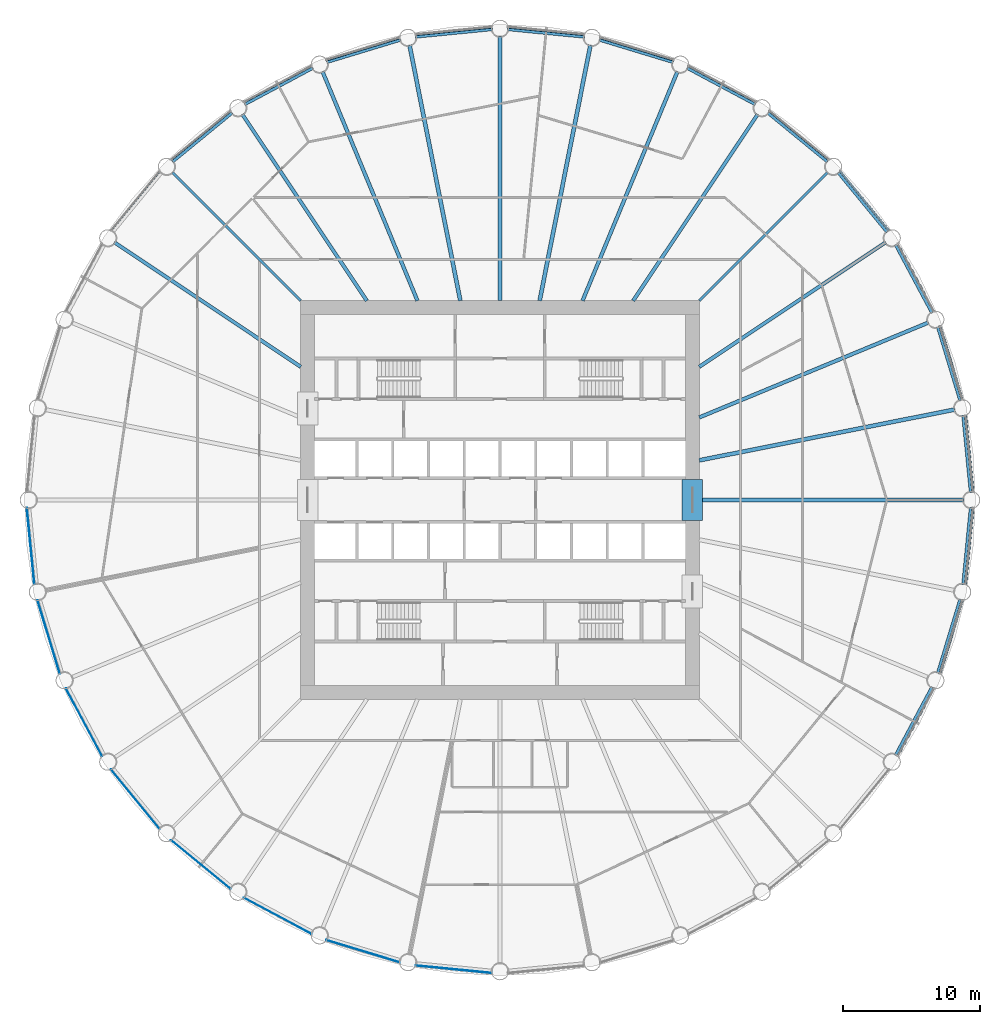
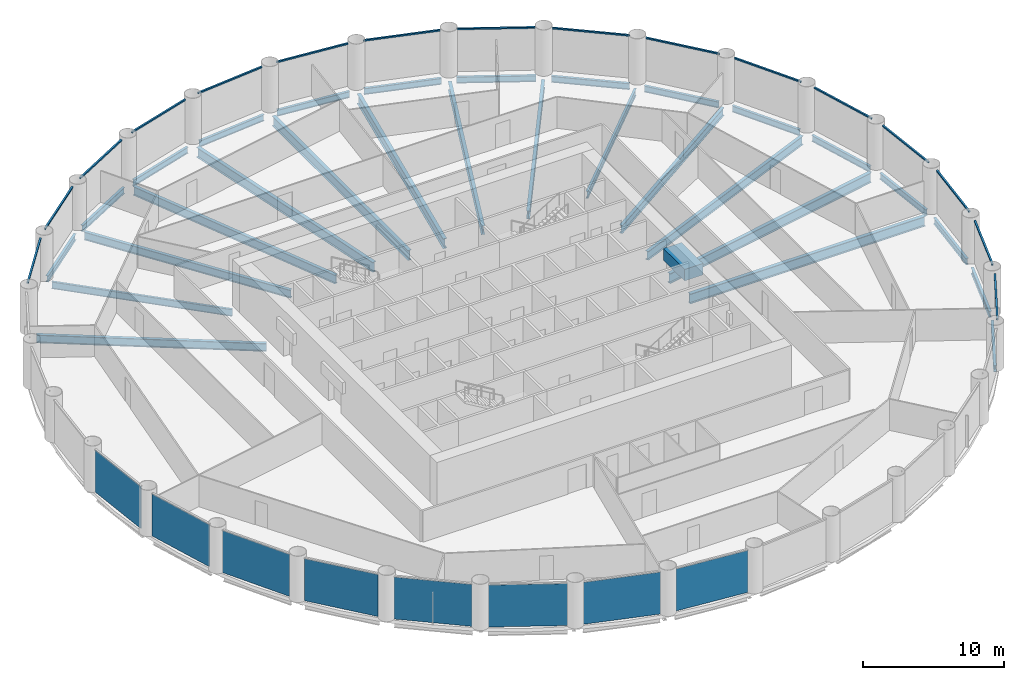
# One storey, part 2 of 8: 30 beams, 16 members, 8 plates, 24 elements without a shape of their own.
"""IFC4 building model written with IfcOpenShell, lengths in metres."""

from ifc_helpers import new_model, si_unit, direction, frame, origin, origin_2d, place, context, subcontext, project, spatial, rectangle, i_section, extrude, material, layer, layer_set, material_profile, profile_set, type_object, element, aggregate, save


model = new_model("IFC4")

# Units and contexts
model_context = context("Model", 3, precision=1e-05, world=origin(), true_north=direction((0.0, 1.0)))
body_context = subcontext(model_context, "Body", "Model", "MODEL_VIEW")
ifc_project = project(units=[si_unit("LENGTHUNIT", "METRE"), si_unit("AREAUNIT", "SQUARE_METRE"), si_unit("VOLUMEUNIT", "CUBIC_METRE"), si_unit("PLANEANGLEUNIT", "RADIAN"), si_unit("MASSUNIT", "GRAM", prefix="KILO")], contexts=[model_context])

# Site, building, storey
site_placement = place(None, origin())
site = spatial("IfcSite", under=ifc_project, at=site_placement, CompositionType="ELEMENT")
building_placement = place(site_placement, origin())
building = spatial("IfcBuilding", under=site, at=building_placement, Name="Corvane Civic Tower", CompositionType="ELEMENT")
storey_placement = place(building_placement, frame((0.0, 0.0, 122.5)))
storey = spatial("IfcBuildingStorey", under=building, at=storey_placement, Name="L28", CompositionType="ELEMENT", Elevation=122.5)

# Beams
ifc_material_1 = material(Name="Concrete C70/85", Category="concrete")
ifc_material_profile_1 = material_profile(ifc_material_1, rectangle(XDim=1.5, YDim=1.0, at=origin_2d()), Name="COUPLING BEAM 1500X1000")
ifc_profile_set_1 = profile_set([ifc_material_profile_1], Name="Concrete C70/85")
beam_type_1 = type_object("IfcBeamType", Name="COUPLING BEAM COUPLING BEAM 1500X1000", PredefinedType="BEAM", material=ifc_profile_set_1)
beam_1_placement = place(storey_placement, frame((14.0, -1.5, 2.60009765625), z_axis=(0.0, 1.0, 0.0), x_axis=(-1.0, 0.0, 0.0)))
element("IfcBeam", 1, at=beam_1_placement, inside=storey, type_object=beam_type_1, Name="BM-L28-cpl-CW-LE", PredefinedType="BEAM", context=body_context, shape_type="SweptSolid", body=[
    extrude(rectangle(XDim=1.5, YDim=1.0, at=origin_2d()), origin(), (0.0, 0.0, 1.0), 3.0),
])
ifc_material_2 = material(Name="Steel ASTM A992 Gr 50", Category="steel")
ifc_material_profile_2 = material_profile(ifc_material_2, i_section(OverallWidth=0.209228515625, OverallDepth=0.533447265625, WebThickness=0.01025390625, FlangeThickness=0.015625, at=origin_2d()), Name="W21X62")
ifc_profile_set_2 = profile_set([ifc_material_profile_2], Name="Steel ASTM A992 Gr 50")
beam_type_2 = type_object("IfcBeamType", Name="EDGE BEAM W21X62", PredefinedType="BEAM", material=ifc_profile_set_2)
beam_2_placement = place(storey_placement, frame((0.54736328125, 34.24609375, -0.566650390625), z_axis=(0.995184368522, -0.098020776625, 0.0), x_axis=(0.098020776625, 0.995184368522, 0.0)))
element("IfcBeam", 2, at=beam_2_placement, inside=storey, type_object=beam_type_2, Name="BM-L28-E01", PredefinedType="BEAM", context=body_context, shape_type="SweptSolid", body=[
    extrude(i_section(OverallWidth=0.209228515625, OverallDepth=0.533447265625, WebThickness=0.01025390625, FlangeThickness=0.015625, at=origin_2d()), origin(), (0.0, 0.0, 1.0), 5.6240234375),
])
beam_3_placement = place(storey_placement, frame((7.218017578125, 33.481201171875, -0.566650390625), z_axis=(0.956936367498, -0.290297758448, 0.0), x_axis=(0.290297758448, 0.956936367498, 0.0)))
element("IfcBeam", 3, at=beam_3_placement, inside=storey, type_object=beam_type_2, Name="BM-L28-E02", PredefinedType="BEAM", context=body_context, shape_type="SweptSolid", body=[
    extrude(i_section(OverallWidth=0.209228515625, OverallDepth=0.533447265625, WebThickness=0.01025390625, FlangeThickness=0.015625, at=origin_2d()), origin(), (0.0, 0.0, 1.0), 5.623779296875),
])
for number, where, z_axis, x_axis, name in (
    (4, (13.611083984375, 31.4296875, -0.566650390625), (0.88192357867, -0.471392407008, 0.0), (0.471392407008, 0.88192357867, 0.0), "BM-L28-E03"),
    (5, (19.481201171875, 28.17041015625, -0.566650390625), (0.773006775372, -0.634397765782, 0.0), (0.634397765782, 0.773006775372, 0.0), "BM-L28-E04"),
    (6, (24.6025390625, 23.82861328125, -0.566650390625), (0.634397765782, -0.773006775372, 0.0), (0.773006775372, 0.634397765782, 0.0), "BM-L28-E05"),
    (7, (28.778564453125, 18.571044921875, -0.566650390625), (0.471392407008, -0.88192357867, 0.0), (0.88192357867, 0.471392407008, 0.0), "BM-L28-E06"),
):
    element("IfcBeam", number, at=place(storey_placement, frame(where, z_axis=z_axis, x_axis=x_axis)), inside=storey, type_object=beam_type_2, Name=name, PredefinedType="BEAM", context=body_context, shape_type="SweptSolid", body=[
        extrude(i_section(OverallWidth=0.209228515625, OverallDepth=0.533447265625, WebThickness=0.01025390625, FlangeThickness=0.015625, at=origin_2d()), origin(), (0.0, 0.0, 1.0), 5.6240234375),
    ])
beam_4_placement = place(storey_placement, frame((31.8486328125, 12.599609375, -0.566650390625), z_axis=(0.290297758448, -0.956936367498, 0.0), x_axis=(0.956936367498, 0.290297758448, 0.0)))
element("IfcBeam", 8, at=beam_4_placement, inside=storey, type_object=beam_type_2, Name="BM-L28-E07", PredefinedType="BEAM", context=body_context, shape_type="SweptSolid", body=[
    extrude(i_section(OverallWidth=0.209228515625, OverallDepth=0.533447265625, WebThickness=0.01025390625, FlangeThickness=0.015625, at=origin_2d()), origin(), (0.0, 0.0, 1.0), 5.623779296875),
])
for number, where, z_axis, x_axis, name in (
    (9, (33.69482421875, 6.144287109375, -0.566650390625), (0.098020776625, -0.995184368522, 0.0), (0.995184368522, 0.098020776625, 0.0), "BM-L28-E08"),
    (10, (34.24609375, -0.54736328125, -0.566650390625), (-0.098020776625, -0.995184368522, 0.0), (0.995184368522, -0.098020776625, 0.0), "BM-L28-E09"),
):
    element("IfcBeam", number, at=place(storey_placement, frame(where, z_axis=z_axis, x_axis=x_axis)), inside=storey, type_object=beam_type_2, Name=name, PredefinedType="BEAM", context=body_context, shape_type="SweptSolid", body=[
        extrude(i_section(OverallWidth=0.209228515625, OverallDepth=0.533447265625, WebThickness=0.01025390625, FlangeThickness=0.015625, at=origin_2d()), origin(), (0.0, 0.0, 1.0), 5.6240234375),
    ])
beam_5_placement = place(storey_placement, frame((33.481201171875, -7.218017578125, -0.566650390625), z_axis=(-0.290297758448, -0.956936367498, 0.0), x_axis=(0.956936367498, -0.290297758448, 0.0)))
element("IfcBeam", 11, at=beam_5_placement, inside=storey, type_object=beam_type_2, Name="BM-L28-E10", PredefinedType="BEAM", context=body_context, shape_type="SweptSolid", body=[
    extrude(i_section(OverallWidth=0.209228515625, OverallDepth=0.533447265625, WebThickness=0.01025390625, FlangeThickness=0.015625, at=origin_2d()), origin(), (0.0, 0.0, 1.0), 5.623779296875),
])
for number, where, z_axis, x_axis, name in (
    (12, (31.4296875, -13.611083984375, -0.566650390625), (-0.471392407008, -0.88192357867, 0.0), (0.88192357867, -0.471392407008, 0.0), "BM-L28-E11"),
    (13, (-23.82861328125, 24.6025390625, -0.566650390625), (0.773006775372, 0.634397765782, 0.0), (-0.634397765782, 0.773006775372, 0.0), "BM-L28-E29"),
    (14, (-18.571044921875, 28.778564453125, -0.566650390625), (0.88192357867, 0.471392407008, 0.0), (-0.471392407008, 0.88192357867, 0.0), "BM-L28-E30"),
):
    element("IfcBeam", number, at=place(storey_placement, frame(where, z_axis=z_axis, x_axis=x_axis)), inside=storey, type_object=beam_type_2, Name=name, PredefinedType="BEAM", context=body_context, shape_type="SweptSolid", body=[
        extrude(i_section(OverallWidth=0.209228515625, OverallDepth=0.533447265625, WebThickness=0.01025390625, FlangeThickness=0.015625, at=origin_2d()), origin(), (0.0, 0.0, 1.0), 5.6240234375),
    ])
beam_6_placement = place(storey_placement, frame((-12.599609375, 31.8486328125, -0.566650390625), z_axis=(0.956936367498, 0.290297758448, 0.0), x_axis=(-0.290297758448, 0.956936367498, 0.0)))
element("IfcBeam", 15, at=beam_6_placement, inside=storey, type_object=beam_type_2, Name="BM-L28-E31", PredefinedType="BEAM", context=body_context, shape_type="SweptSolid", body=[
    extrude(i_section(OverallWidth=0.209228515625, OverallDepth=0.533447265625, WebThickness=0.01025390625, FlangeThickness=0.015625, at=origin_2d()), origin(), (0.0, 0.0, 1.0), 5.623779296875),
])
beam_7_placement = place(storey_placement, frame((-6.144287109375, 33.69482421875, -0.566650390625), z_axis=(0.995184368522, 0.098020776625, 0.0), x_axis=(-0.098020776625, 0.995184368522, 0.0)))
element("IfcBeam", 16, at=beam_7_placement, inside=storey, type_object=beam_type_2, Name="BM-L28-E32", PredefinedType="BEAM", context=body_context, shape_type="SweptSolid", body=[
    extrude(i_section(OverallWidth=0.209228515625, OverallDepth=0.533447265625, WebThickness=0.01025390625, FlangeThickness=0.015625, at=origin_2d()), origin(), (0.0, 0.0, 1.0), 5.6240234375),
])
ifc_material_3 = material(Name="Steel ASTM A992 Gr 50", Category="steel")
ifc_material_profile_3 = material_profile(ifc_material_3, i_section(OverallWidth=0.177978515625, OverallDepth=0.599365234375, WebThickness=0.010009765625, FlangeThickness=0.012939453125, at=origin_2d()), Name="W24X55")
ifc_profile_set_3 = profile_set([ifc_material_profile_3], Name="Steel ASTM A992 Gr 50")
beam_type_3 = type_object("IfcBeamType", Name="FLOOR GIRDER W24X55", PredefinedType="BEAM", material=ifc_profile_set_3)
for number, where, z_axis, x_axis, name in (
    (17, (14.5, 14.5, -0.599609375), (0.707106781187, 0.707106781187, 0.0), (-0.707106781187, 0.707106781187, 0.0), "BM-L28-G05"),
    (18, (-14.5, 14.5, -0.599609375), (-0.707106781187, 0.707106781187, 0.0), (-0.707106781187, -0.707106781187, 0.0), "BM-L28-G29"),
):
    element("IfcBeam", number, at=place(storey_placement, frame(where, z_axis=z_axis, x_axis=x_axis)), inside=storey, type_object=beam_type_3, Name=name, PredefinedType="BEAM", context=body_context, shape_type="SweptSolid", body=[
        extrude(i_section(OverallWidth=0.177978515625, OverallDepth=0.599365234375, WebThickness=0.010009765625, FlangeThickness=0.012939453125, at=origin_2d()), origin(), (0.0, 0.0, 1.0), 13.24365234375),
    ])
ifc_material_4 = material(Name="Steel ASTM A992 Gr 50", Category="steel")
ifc_material_profile_4 = material_profile(ifc_material_4, i_section(OverallWidth=0.256591796875, OverallDepth=0.693359375, WebThickness=0.014404296875, FlangeThickness=0.023681640625, at=origin_2d()), Name="W27X114")
ifc_profile_set_4 = profile_set([ifc_material_profile_4], Name="Steel ASTM A992 Gr 50")
beam_type_4 = type_object("IfcBeamType", Name="FLOOR GIRDER W27X114", PredefinedType="BEAM", material=ifc_profile_set_4)
for number, where, z_axis, x_axis, name in (
    (19, (9.6884765625, 14.5, -0.646728515625), (0.555577235054, 0.83146493365, 0.0), (-0.83146493365, 0.555577235054, 0.0), "BM-L28-G04"),
    (20, (14.5, 9.6884765625, -0.646728515625), (0.83146493365, 0.555577235054, 0.0), (-0.555577235054, 0.83146493365, 0.0), "BM-L28-G06"),
    (21, (-14.5, 9.6884765625, -0.646728515625), (-0.83146493365, 0.555577235054, 0.0), (-0.555577235054, -0.83146493365, 0.0), "BM-L28-G28"),
    (22, (-9.6884765625, 14.5, -0.646728515625), (-0.555577235054, 0.83146493365, 0.0), (-0.83146493365, -0.555577235054, 0.0), "BM-L28-G30"),
):
    element("IfcBeam", number, at=place(storey_placement, frame(where, z_axis=z_axis, x_axis=x_axis)), inside=storey, type_object=beam_type_4, Name=name, PredefinedType="BEAM", context=body_context, shape_type="SweptSolid", body=[
        extrude(i_section(OverallWidth=0.256591796875, OverallDepth=0.693359375, WebThickness=0.014404296875, FlangeThickness=0.023681640625, at=origin_2d()), origin(), (0.0, 0.0, 1.0), 16.31103515625),
    ])
ifc_material_5 = material(Name="Steel ASTM A992 Gr 50", Category="steel")
ifc_material_profile_5 = material_profile(ifc_material_5, i_section(OverallWidth=0.2666015625, OverallDepth=0.7568359375, WebThickness=0.013916015625, FlangeThickness=0.019287109375, at=origin_2d()), Name="W30X108")
ifc_profile_set_5 = profile_set([ifc_material_profile_5], Name="Steel ASTM A992 Gr 50")
beam_type_5 = type_object("IfcBeamType", Name="FLOOR GIRDER W30X108", PredefinedType="BEAM", material=ifc_profile_set_5)
for number, where, z_axis, x_axis, name in (
    (23, (6.006103515625, 14.5, -0.678466796875), (0.382681797504, 0.923880209691, 0.0), (-0.923880209691, 0.382681797504, 0.0), "BM-L28-G03"),
    (24, (14.5, 6.006103515625, -0.678466796875), (0.923880209691, 0.382681797504, 0.0), (-0.382681797504, 0.923880209691, 0.0), "BM-L28-G07"),
    (25, (-6.006103515625, 14.5, -0.678466796875), (-0.382681797504, 0.923880209691, 0.0), (-0.923880209691, -0.382681797504, 0.0), "BM-L28-G31"),
):
    element("IfcBeam", number, at=place(storey_placement, frame(where, z_axis=z_axis, x_axis=x_axis)), inside=storey, type_object=beam_type_5, Name=name, PredefinedType="BEAM", context=body_context, shape_type="SweptSolid", body=[
        extrude(i_section(OverallWidth=0.2666015625, OverallDepth=0.7568359375, WebThickness=0.013916015625, FlangeThickness=0.019287109375, at=origin_2d()), origin(), (0.0, 0.0, 1.0), 18.05517578125),
    ])
ifc_material_6 = material(Name="Steel ASTM A992 Gr 50", Category="steel")
ifc_material_profile_6 = material_profile(ifc_material_6, i_section(OverallWidth=0.2919921875, OverallDepth=0.8583984375, WebThickness=0.01708984375, FlangeThickness=0.031005859375, at=origin_2d()), Name="W33X169")
ifc_profile_set_6 = profile_set([ifc_material_profile_6], Name="Steel ASTM A992 Gr 50")
beam_type_6 = type_object("IfcBeamType", Name="FLOOR GIRDER W33X169", PredefinedType="BEAM", material=ifc_profile_set_6)
beam_8_placement = place(storey_placement, frame((0.0, 14.5, -0.729248046875), z_axis=(0.0, 1.0, 0.0), x_axis=(-1.0, 0.0, 0.0)))
element("IfcBeam", 26, at=beam_8_placement, inside=storey, type_object=beam_type_6, Name="BM-L28-G01", PredefinedType="BEAM", context=body_context, shape_type="SweptSolid", body=[
    extrude(i_section(OverallWidth=0.2919921875, OverallDepth=0.8583984375, WebThickness=0.01708984375, FlangeThickness=0.031005859375, at=origin_2d()), origin(), (0.0, 0.0, 1.0), 19.25),
])
for number, where, z_axis, x_axis, name in (
    (27, (2.88427734375, 14.5, -0.729248046875), (0.195083745652, 0.9807865885, 0.0), (-0.9807865885, 0.195083745652, 0.0), "BM-L28-G02"),
    (28, (14.5, 2.88427734375, -0.729248046875), (0.9807865885, 0.195083745652, 0.0), (-0.195083745652, 0.9807865885, 0.0), "BM-L28-G08"),
):
    element("IfcBeam", number, at=place(storey_placement, frame(where, z_axis=z_axis, x_axis=x_axis)), inside=storey, type_object=beam_type_6, Name=name, PredefinedType="BEAM", context=body_context, shape_type="SweptSolid", body=[
        extrude(i_section(OverallWidth=0.2919921875, OverallDepth=0.8583984375, WebThickness=0.01708984375, FlangeThickness=0.031005859375, at=origin_2d()), origin(), (0.0, 0.0, 1.0), 18.966064453125),
    ])
beam_9_placement = place(storey_placement, frame((14.5, 0.0, -0.729248046875), z_axis=(1.0, 0.0, 0.0), x_axis=(0.0, 1.0, 0.0)))
element("IfcBeam", 29, at=beam_9_placement, inside=storey, type_object=beam_type_6, Name="BM-L28-G09", PredefinedType="BEAM", context=body_context, shape_type="SweptSolid", body=[
    extrude(i_section(OverallWidth=0.2919921875, OverallDepth=0.8583984375, WebThickness=0.01708984375, FlangeThickness=0.031005859375, at=origin_2d()), origin(), (0.0, 0.0, 1.0), 19.25),
])
beam_10_placement = place(storey_placement, frame((-2.88427734375, 14.5, -0.729248046875), z_axis=(-0.195083745652, 0.9807865885, 0.0), x_axis=(-0.9807865885, -0.195083745652, 0.0)))
element("IfcBeam", 30, at=beam_10_placement, inside=storey, type_object=beam_type_6, Name="BM-L28-G32", PredefinedType="BEAM", context=body_context, shape_type="SweptSolid", body=[
    extrude(i_section(OverallWidth=0.2919921875, OverallDepth=0.8583984375, WebThickness=0.01708984375, FlangeThickness=0.031005859375, at=origin_2d()), origin(), (0.0, 0.0, 1.0), 18.966064453125),
])

# Curtain wall, member
ifc_material_7 = material(Name="Anodised aluminium bronze", Category="aluminium")
curtain_wall_type = type_object("IfcCurtainWallType", Name="TOWER CW-T1 STICK CURTAIN WALL", PredefinedType="NOTDEFINED", material=ifc_material_7)
curtain_wall_1_placement = place(storey_placement, origin())
curtain_wall_1 = element("IfcCurtainWall", 31, at=curtain_wall_1_placement, inside=storey, type_object=curtain_wall_type, Name="Curtain wall CW-T1 L28 bay 01", PredefinedType="NOTDEFINED")
ifc_material_8 = material(Name="Anodised aluminium bronze", Category="aluminium")
ifc_material_profile_7 = material_profile(ifc_material_8, rectangle(XDim=0.139892578125, YDim=0.1201171875, at=origin_2d()), Name="TOWER CW-T1 TRANSOM 140x120")
ifc_profile_set_7 = profile_set([ifc_material_profile_7], Name="Anodised aluminium bronze")
member_type = type_object("IfcMemberType", Name="TOWER CW-T1 TRANSOM 140x120", PredefinedType="USERDEFINED", material=ifc_profile_set_7)
member_1_placement = place(storey_placement, frame((0.58349609375, 34.422607421875, 3.68994140625), z_axis=(0.995179807033, -0.098067077419, 0.0), x_axis=(0.098067077419, 0.995179807033, 0.0)))
member_1 = element("IfcMember", 32, at=member_1_placement, type_object=member_type, Name="Transom CW-T1 L28 01.1", ObjectType="TRANSOM", PredefinedType="USERDEFINED", context=body_context, shape_type="SweptSolid", body=[
    extrude(rectangle(XDim=0.139892578125, YDim=0.1201171875, at=origin_2d()), origin(), (0.0, 0.0, 1.0), 5.58642578125),
])
aggregate(curtain_wall_1, [member_1])

curtain_wall_2_placement = place(storey_placement, origin())
curtain_wall_2 = element("IfcCurtainWall", 33, at=curtain_wall_2_placement, inside=storey, type_object=curtain_wall_type, Name="Curtain wall CW-T1 L28 bay 02", PredefinedType="NOTDEFINED")
member_2_placement = place(storey_placement, frame((7.287841796875, 33.647216796875, 3.68994140625), z_axis=(0.956944977029, -0.290269376509, 0.0), x_axis=(0.290269376509, 0.956944977029, 0.0)))
member_2 = element("IfcMember", 34, at=member_2_placement, type_object=member_type, Name="Transom CW-T1 L28 02.1", ObjectType="TRANSOM", PredefinedType="USERDEFINED", context=body_context, shape_type="SweptSolid", body=[
    extrude(rectangle(XDim=0.139892578125, YDim=0.1201171875, at=origin_2d()), origin(), (0.0, 0.0, 1.0), 5.58642578125),
])
aggregate(curtain_wall_2, [member_2])

curtain_wall_3_placement = place(storey_placement, origin())
curtain_wall_3 = element("IfcCurtainWall", 35, at=curtain_wall_3_placement, inside=storey, type_object=curtain_wall_type, Name="Curtain wall CW-T1 L28 bay 03", PredefinedType="NOTDEFINED")
member_3_placement = place(storey_placement, frame((13.712158203125, 31.5791015625, 3.68994140625), z_axis=(0.881920705407, -0.47139778253, 0.0), x_axis=(0.47139778253, 0.881920705407, 0.0)))
member_3 = element("IfcMember", 36, at=member_3_placement, type_object=member_type, Name="Transom CW-T1 L28 03.1", ObjectType="TRANSOM", PredefinedType="USERDEFINED", context=body_context, shape_type="SweptSolid", body=[
    extrude(rectangle(XDim=0.139892578125, YDim=0.1201171875, at=origin_2d()), origin(), (0.0, 0.0, 1.0), 5.586669921875),
])
aggregate(curtain_wall_3, [member_3])

curtain_wall_4_placement = place(storey_placement, origin())
curtain_wall_4 = element("IfcCurtainWall", 37, at=curtain_wall_4_placement, inside=storey, type_object=curtain_wall_type, Name="Curtain wall CW-T1 L28 bay 04", PredefinedType="NOTDEFINED")
member_4_placement = place(storey_placement, frame((19.609619140625, 28.297119140625, 3.68994140625), z_axis=(0.772996431642, -0.634410369295, 0.0), x_axis=(0.634410369295, 0.772996431642, 0.0)))
member_4 = element("IfcMember", 38, at=member_4_placement, type_object=member_type, Name="Transom CW-T1 L28 04.1", ObjectType="TRANSOM", PredefinedType="USERDEFINED", context=body_context, shape_type="SweptSolid", body=[
    extrude(rectangle(XDim=0.139892578125, YDim=0.1201171875, at=origin_2d()), origin(), (0.0, 0.0, 1.0), 5.586181640625),
])
aggregate(curtain_wall_4, [member_4])

curtain_wall_5_placement = place(storey_placement, origin())
curtain_wall_5 = element("IfcCurtainWall", 39, at=curtain_wall_5_placement, inside=storey, type_object=curtain_wall_type, Name="Curtain wall CW-T1 L28 bay 05", PredefinedType="NOTDEFINED")
member_5_placement = place(storey_placement, frame((24.753173828125, 23.927734375, 3.68994140625), z_axis=(0.634410369295, -0.772996431642, 0.0), x_axis=(0.772996431642, 0.634410369295, 0.0)))
member_5 = element("IfcMember", 40, at=member_5_placement, type_object=member_type, Name="Transom CW-T1 L28 05.1", ObjectType="TRANSOM", PredefinedType="USERDEFINED", context=body_context, shape_type="SweptSolid", body=[
    extrude(rectangle(XDim=0.139892578125, YDim=0.1201171875, at=origin_2d()), origin(), (0.0, 0.0, 1.0), 5.586181640625),
])
aggregate(curtain_wall_5, [member_5])

curtain_wall_6_placement = place(storey_placement, origin())
curtain_wall_6 = element("IfcCurtainWall", 41, at=curtain_wall_6_placement, inside=storey, type_object=curtain_wall_type, Name="Curtain wall CW-T1 L28 bay 06", PredefinedType="NOTDEFINED")
member_6_placement = place(storey_placement, frame((28.945556640625, 18.63916015625, 3.68994140625), z_axis=(0.47139778253, -0.881920705407, 0.0), x_axis=(0.881920705407, 0.47139778253, 0.0)))
member_6 = element("IfcMember", 42, at=member_6_placement, type_object=member_type, Name="Transom CW-T1 L28 06.1", ObjectType="TRANSOM", PredefinedType="USERDEFINED", context=body_context, shape_type="SweptSolid", body=[
    extrude(rectangle(XDim=0.139892578125, YDim=0.1201171875, at=origin_2d()), origin(), (0.0, 0.0, 1.0), 5.586669921875),
])
aggregate(curtain_wall_6, [member_6])

curtain_wall_7_placement = place(storey_placement, origin())
curtain_wall_7 = element("IfcCurtainWall", 43, at=curtain_wall_7_placement, inside=storey, type_object=curtain_wall_type, Name="Curtain wall CW-T1 L28 bay 07", PredefinedType="NOTDEFINED")
member_7_placement = place(storey_placement, frame((32.025634765625, 12.6337890625, 3.68994140625), z_axis=(0.290269376509, -0.956944977029, 0.0), x_axis=(0.956944977029, 0.290269376509, 0.0)))
member_7 = element("IfcMember", 44, at=member_7_placement, type_object=member_type, Name="Transom CW-T1 L28 07.1", ObjectType="TRANSOM", PredefinedType="USERDEFINED", context=body_context, shape_type="SweptSolid", body=[
    extrude(rectangle(XDim=0.139892578125, YDim=0.1201171875, at=origin_2d()), origin(), (0.0, 0.0, 1.0), 5.58642578125),
])
aggregate(curtain_wall_7, [member_7])

curtain_wall_8_placement = place(storey_placement, origin())
curtain_wall_8 = element("IfcCurtainWall", 45, at=curtain_wall_8_placement, inside=storey, type_object=curtain_wall_type, Name="Curtain wall CW-T1 L28 bay 08", PredefinedType="NOTDEFINED")
member_8_placement = place(storey_placement, frame((33.874755859375, 6.14306640625, 3.68994140625), z_axis=(0.098067077419, -0.995179807033, 0.0), x_axis=(0.995179807033, 0.098067077419, 0.0)))
member_8 = element("IfcMember", 46, at=member_8_placement, type_object=member_type, Name="Transom CW-T1 L28 08.1", ObjectType="TRANSOM", PredefinedType="USERDEFINED", context=body_context, shape_type="SweptSolid", body=[
    extrude(rectangle(XDim=0.139892578125, YDim=0.1201171875, at=origin_2d()), origin(), (0.0, 0.0, 1.0), 5.58642578125),
])
aggregate(curtain_wall_8, [member_8])

curtain_wall_9_placement = place(storey_placement, origin())
curtain_wall_9 = element("IfcCurtainWall", 47, at=curtain_wall_9_placement, inside=storey, type_object=curtain_wall_type, Name="Curtain wall CW-T1 L28 bay 09", PredefinedType="NOTDEFINED")
member_9_placement = place(storey_placement, frame((34.422607421875, -0.58349609375, 3.68994140625), z_axis=(-0.098067077419, -0.995179807033, 0.0), x_axis=(0.995179807033, -0.098067077419, 0.0)))
member_9 = element("IfcMember", 48, at=member_9_placement, type_object=member_type, Name="Transom CW-T1 L28 09.1", ObjectType="TRANSOM", PredefinedType="USERDEFINED", context=body_context, shape_type="SweptSolid", body=[
    extrude(rectangle(XDim=0.139892578125, YDim=0.1201171875, at=origin_2d()), origin(), (0.0, 0.0, 1.0), 5.58642578125),
])
aggregate(curtain_wall_9, [member_9])

curtain_wall_10_placement = place(storey_placement, origin())
curtain_wall_10 = element("IfcCurtainWall", 49, at=curtain_wall_10_placement, inside=storey, type_object=curtain_wall_type, Name="Curtain wall CW-T1 L28 bay 10", PredefinedType="NOTDEFINED")
member_10_placement = place(storey_placement, frame((33.647216796875, -7.287841796875, 3.68994140625), z_axis=(-0.290269376509, -0.956944977029, 0.0), x_axis=(0.956944977029, -0.290269376509, 0.0)))
member_10 = element("IfcMember", 50, at=member_10_placement, type_object=member_type, Name="Transom CW-T1 L28 10.1", ObjectType="TRANSOM", PredefinedType="USERDEFINED", context=body_context, shape_type="SweptSolid", body=[
    extrude(rectangle(XDim=0.139892578125, YDim=0.1201171875, at=origin_2d()), origin(), (0.0, 0.0, 1.0), 5.58642578125),
])
aggregate(curtain_wall_10, [member_10])

curtain_wall_11_placement = place(storey_placement, origin())
curtain_wall_11 = element("IfcCurtainWall", 51, at=curtain_wall_11_placement, inside=storey, type_object=curtain_wall_type, Name="Curtain wall CW-T1 L28 bay 11", PredefinedType="NOTDEFINED")
member_11_placement = place(storey_placement, frame((31.5791015625, -13.712158203125, 3.68994140625), z_axis=(-0.47139778253, -0.881920705407, 0.0), x_axis=(0.881920705407, -0.47139778253, 0.0)))
member_11 = element("IfcMember", 52, at=member_11_placement, type_object=member_type, Name="Transom CW-T1 L28 11.1", ObjectType="TRANSOM", PredefinedType="USERDEFINED", context=body_context, shape_type="SweptSolid", body=[
    extrude(rectangle(XDim=0.139892578125, YDim=0.1201171875, at=origin_2d()), origin(), (0.0, 0.0, 1.0), 5.586669921875),
])
aggregate(curtain_wall_11, [member_11])

curtain_wall_12_placement = place(storey_placement, origin())
curtain_wall_12 = element("IfcCurtainWall", 53, at=curtain_wall_12_placement, inside=storey, type_object=curtain_wall_type, Name="Curtain wall CW-T1 L28 bay 28", PredefinedType="NOTDEFINED")
member_12_placement = place(storey_placement, frame((-28.297119140625, 19.609619140625, 3.68994140625), z_axis=(0.634410369295, 0.772996431642, 0.0), x_axis=(-0.772996431642, 0.634410369295, 0.0)))
member_12 = element("IfcMember", 54, at=member_12_placement, type_object=member_type, Name="Transom CW-T1 L28 28.1", ObjectType="TRANSOM", PredefinedType="USERDEFINED", context=body_context, shape_type="SweptSolid", body=[
    extrude(rectangle(XDim=0.139892578125, YDim=0.1201171875, at=origin_2d()), origin(), (0.0, 0.0, 1.0), 5.586181640625),
])
aggregate(curtain_wall_12, [member_12])

curtain_wall_13_placement = place(storey_placement, origin())
curtain_wall_13 = element("IfcCurtainWall", 55, at=curtain_wall_13_placement, inside=storey, type_object=curtain_wall_type, Name="Curtain wall CW-T1 L28 bay 29", PredefinedType="NOTDEFINED")
member_13_placement = place(storey_placement, frame((-23.927734375, 24.753173828125, 3.68994140625), z_axis=(0.772996431642, 0.634410369295, 0.0), x_axis=(-0.634410369295, 0.772996431642, 0.0)))
member_13 = element("IfcMember", 56, at=member_13_placement, type_object=member_type, Name="Transom CW-T1 L28 29.1", ObjectType="TRANSOM", PredefinedType="USERDEFINED", context=body_context, shape_type="SweptSolid", body=[
    extrude(rectangle(XDim=0.139892578125, YDim=0.1201171875, at=origin_2d()), origin(), (0.0, 0.0, 1.0), 5.586181640625),
])
aggregate(curtain_wall_13, [member_13])

curtain_wall_14_placement = place(storey_placement, origin())
curtain_wall_14 = element("IfcCurtainWall", 57, at=curtain_wall_14_placement, inside=storey, type_object=curtain_wall_type, Name="Curtain wall CW-T1 L28 bay 30", PredefinedType="NOTDEFINED")
member_14_placement = place(storey_placement, frame((-18.63916015625, 28.945556640625, 3.68994140625), z_axis=(0.881920705407, 0.47139778253, 0.0), x_axis=(-0.47139778253, 0.881920705407, 0.0)))
member_14 = element("IfcMember", 58, at=member_14_placement, type_object=member_type, Name="Transom CW-T1 L28 30.1", ObjectType="TRANSOM", PredefinedType="USERDEFINED", context=body_context, shape_type="SweptSolid", body=[
    extrude(rectangle(XDim=0.139892578125, YDim=0.1201171875, at=origin_2d()), origin(), (0.0, 0.0, 1.0), 5.586669921875),
])
aggregate(curtain_wall_14, [member_14])

curtain_wall_15_placement = place(storey_placement, origin())
curtain_wall_15 = element("IfcCurtainWall", 59, at=curtain_wall_15_placement, inside=storey, type_object=curtain_wall_type, Name="Curtain wall CW-T1 L28 bay 31", PredefinedType="NOTDEFINED")
member_15_placement = place(storey_placement, frame((-12.6337890625, 32.025634765625, 3.68994140625), z_axis=(0.956944977029, 0.290269376509, 0.0), x_axis=(-0.290269376509, 0.956944977029, 0.0)))
member_15 = element("IfcMember", 60, at=member_15_placement, type_object=member_type, Name="Transom CW-T1 L28 31.1", ObjectType="TRANSOM", PredefinedType="USERDEFINED", context=body_context, shape_type="SweptSolid", body=[
    extrude(rectangle(XDim=0.139892578125, YDim=0.1201171875, at=origin_2d()), origin(), (0.0, 0.0, 1.0), 5.58642578125),
])
aggregate(curtain_wall_15, [member_15])

curtain_wall_16_placement = place(storey_placement, origin())
curtain_wall_16 = element("IfcCurtainWall", 61, at=curtain_wall_16_placement, inside=storey, type_object=curtain_wall_type, Name="Curtain wall CW-T1 L28 bay 32", PredefinedType="NOTDEFINED")
member_16_placement = place(storey_placement, frame((-6.14306640625, 33.874755859375, 3.68994140625), z_axis=(0.995179807033, 0.098067077419, 0.0), x_axis=(-0.098067077419, 0.995179807033, 0.0)))
member_16 = element("IfcMember", 62, at=member_16_placement, type_object=member_type, Name="Transom CW-T1 L28 32.1", ObjectType="TRANSOM", PredefinedType="USERDEFINED", context=body_context, shape_type="SweptSolid", body=[
    extrude(rectangle(XDim=0.139892578125, YDim=0.1201171875, at=origin_2d()), origin(), (0.0, 0.0, 1.0), 5.58642578125),
])
aggregate(curtain_wall_16, [member_16])

# Curtain wall, plate
curtain_wall_17_placement = place(storey_placement, origin())
curtain_wall_17 = element("IfcCurtainWall", 63, at=curtain_wall_17_placement, inside=storey, type_object=curtain_wall_type, Name="Curtain wall CW-T1 L28 bay 17", PredefinedType="NOTDEFINED")
ifc_material_9 = material(Name="Tinted glass", Category="glass")
ifc_layer = layer(ifc_material_9, 0.035888671875)
ifc_layer_set = layer_set([ifc_layer], Name="Tinted glass")
plate_type = type_object("IfcPlateType", Name="TOWER CW-T1 PANEL IGU36", PredefinedType="CURTAIN_PANEL", material=ifc_layer_set)
plate_1_placement = place(storey_placement, frame((-3.36328125, -34.148681640625, 0.0), z_axis=(0.0, 0.0, 1.0), x_axis=(-0.995183788169, 0.098026668644, 0.0)))
plate_1 = element("IfcPlate", 64, at=plate_1_placement, type_object=plate_type, Name="Glass panel CW-T1 L28 17.1", PredefinedType="CURTAIN_PANEL", context=body_context, shape_type="SweptSolid", body=[
    extrude(rectangle(XDim=5.58642578125, YDim=0.035888671875, at=origin_2d()), origin(), (0.0, 0.0, 1.0), 3.6298828125),
])
aggregate(curtain_wall_17, [plate_1])

curtain_wall_18_placement = place(storey_placement, origin())
curtain_wall_18 = element("IfcCurtainWall", 65, at=curtain_wall_18_placement, inside=storey, type_object=curtain_wall_type, Name="Curtain wall CW-T1 L28 bay 18", PredefinedType="NOTDEFINED")
plate_2_placement = place(storey_placement, frame((-9.9609375, -32.83642578125, 0.0), z_axis=(0.0, 0.0, 1.0), x_axis=(-0.956945991488, 0.290266032073, 0.0)))
plate_2 = element("IfcPlate", 66, at=plate_2_placement, type_object=plate_type, Name="Glass panel CW-T1 L28 18.1", PredefinedType="CURTAIN_PANEL", context=body_context, shape_type="SweptSolid", body=[
    extrude(rectangle(XDim=5.58642578125, YDim=0.035888671875, at=origin_2d()), origin(), (0.0, 0.0, 1.0), 3.6298828125),
])
aggregate(curtain_wall_18, [plate_2])

curtain_wall_19_placement = place(storey_placement, origin())
curtain_wall_19 = element("IfcCurtainWall", 67, at=curtain_wall_19_placement, inside=storey, type_object=curtain_wall_type, Name="Curtain wall CW-T1 L28 bay 19", PredefinedType="NOTDEFINED")
plate_3_placement = place(storey_placement, frame((-16.175537109375, -30.26220703125, 0.0), z_axis=(0.0, 0.0, 1.0), x_axis=(-0.881923642976, 0.471392286699, 0.0)))
plate_3 = element("IfcPlate", 68, at=plate_3_placement, type_object=plate_type, Name="Glass panel CW-T1 L28 19.1", PredefinedType="CURTAIN_PANEL", context=body_context, shape_type="SweptSolid", body=[
    extrude(rectangle(XDim=5.586669921875, YDim=0.035888671875, at=origin_2d()), origin(), (0.0, 0.0, 1.0), 3.6298828125),
])
aggregate(curtain_wall_19, [plate_3])

curtain_wall_20_placement = place(storey_placement, origin())
curtain_wall_20 = element("IfcCurtainWall", 69, at=curtain_wall_20_placement, inside=storey, type_object=curtain_wall_type, Name="Curtain wall CW-T1 L28 bay 20", PredefinedType="NOTDEFINED")
plate_4_placement = place(storey_placement, frame((-21.7685546875, -26.525146484375, 0.0), z_axis=(0.0, 0.0, 1.0), x_axis=(-0.773013419843, 0.63438966948, 0.0)))
plate_4 = element("IfcPlate", 70, at=plate_4_placement, type_object=plate_type, Name="Glass panel CW-T1 L28 20.1", PredefinedType="CURTAIN_PANEL", context=body_context, shape_type="SweptSolid", body=[
    extrude(rectangle(XDim=5.58642578125, YDim=0.035888671875, at=origin_2d()), origin(), (0.0, 0.0, 1.0), 3.6298828125),
])
aggregate(curtain_wall_20, [plate_4])

curtain_wall_21_placement = place(storey_placement, origin())
curtain_wall_21 = element("IfcCurtainWall", 71, at=curtain_wall_21_placement, inside=storey, type_object=curtain_wall_type, Name="Curtain wall CW-T1 L28 bay 21", PredefinedType="NOTDEFINED")
plate_5_placement = place(storey_placement, frame((-26.525146484375, -21.7685546875, 0.0), z_axis=(0.0, 0.0, 1.0), x_axis=(-0.63438966948, 0.773013419843, 0.0)))
plate_5 = element("IfcPlate", 72, at=plate_5_placement, type_object=plate_type, Name="Glass panel CW-T1 L28 21.1", PredefinedType="CURTAIN_PANEL", context=body_context, shape_type="SweptSolid", body=[
    extrude(rectangle(XDim=5.58642578125, YDim=0.035888671875, at=origin_2d()), origin(), (0.0, 0.0, 1.0), 3.6298828125),
])
aggregate(curtain_wall_21, [plate_5])

curtain_wall_22_placement = place(storey_placement, origin())
curtain_wall_22 = element("IfcCurtainWall", 73, at=curtain_wall_22_placement, inside=storey, type_object=curtain_wall_type, Name="Curtain wall CW-T1 L28 bay 22", PredefinedType="NOTDEFINED")
plate_6_placement = place(storey_placement, frame((-30.26220703125, -16.175537109375, 0.0), z_axis=(0.0, 0.0, 1.0), x_axis=(-0.471392286699, 0.881923642976, 0.0)))
plate_6 = element("IfcPlate", 74, at=plate_6_placement, type_object=plate_type, Name="Glass panel CW-T1 L28 22.1", PredefinedType="CURTAIN_PANEL", context=body_context, shape_type="SweptSolid", body=[
    extrude(rectangle(XDim=5.586669921875, YDim=0.035888671875, at=origin_2d()), origin(), (0.0, 0.0, 1.0), 3.6298828125),
])
aggregate(curtain_wall_22, [plate_6])

curtain_wall_23_placement = place(storey_placement, origin())
curtain_wall_23 = element("IfcCurtainWall", 75, at=curtain_wall_23_placement, inside=storey, type_object=curtain_wall_type, Name="Curtain wall CW-T1 L28 bay 23", PredefinedType="NOTDEFINED")
plate_7_placement = place(storey_placement, frame((-32.83642578125, -9.9609375, 0.0), z_axis=(0.0, 0.0, 1.0), x_axis=(-0.290266032073, 0.956945991488, 0.0)))
plate_7 = element("IfcPlate", 76, at=plate_7_placement, type_object=plate_type, Name="Glass panel CW-T1 L28 23.1", PredefinedType="CURTAIN_PANEL", context=body_context, shape_type="SweptSolid", body=[
    extrude(rectangle(XDim=5.58642578125, YDim=0.035888671875, at=origin_2d()), origin(), (0.0, 0.0, 1.0), 3.6298828125),
])
aggregate(curtain_wall_23, [plate_7])

curtain_wall_24_placement = place(storey_placement, origin())
curtain_wall_24 = element("IfcCurtainWall", 77, at=curtain_wall_24_placement, inside=storey, type_object=curtain_wall_type, Name="Curtain wall CW-T1 L28 bay 24", PredefinedType="NOTDEFINED")
plate_8_placement = place(storey_placement, frame((-34.148681640625, -3.36328125, 0.0), z_axis=(0.0, 0.0, 1.0), x_axis=(-0.098026668644, 0.995183788169, 0.0)))
plate_8 = element("IfcPlate", 78, at=plate_8_placement, type_object=plate_type, Name="Glass panel CW-T1 L28 24.1", PredefinedType="CURTAIN_PANEL", context=body_context, shape_type="SweptSolid", body=[
    extrude(rectangle(XDim=5.58642578125, YDim=0.035888671875, at=origin_2d()), origin(), (0.0, 0.0, 1.0), 3.6298828125),
])
aggregate(curtain_wall_24, [plate_8])

save(model, "model.ifc")
